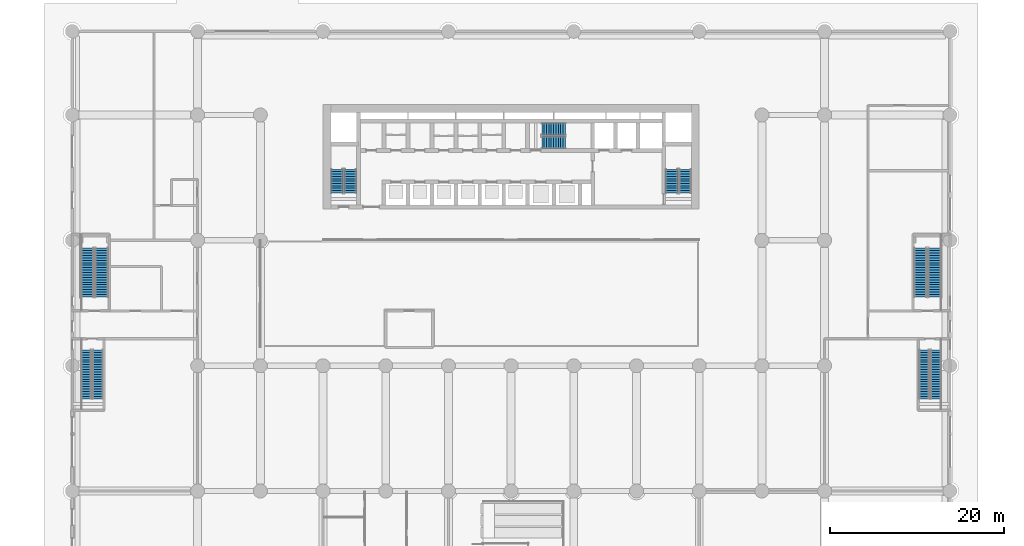
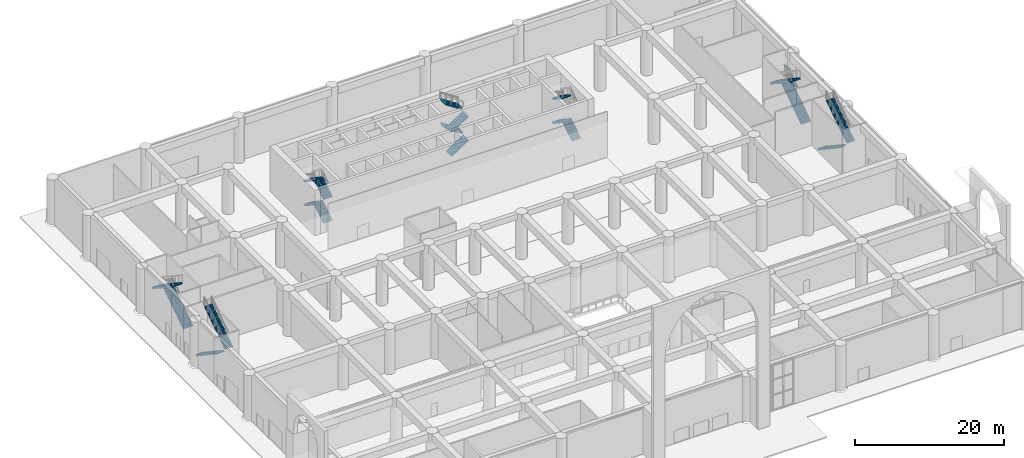
# One storey, part 21 of 32: 19 stair flights, 7 elements without a shape of their own.
"""IFC4 building model written with IfcOpenShell, lengths in metres."""

from ifc_helpers import new_model, si_unit, direction, frame, origin, place, context, subcontext, project, spatial, polyline, outline, extrude, material, layer, layer_set, type_object, element, aggregate, save


model = new_model("IFC4")

# Units and contexts
model_context = context("Model", 3, precision=1e-05, world=origin(), true_north=direction((0.0, 1.0)))
body_context = subcontext(model_context, "Body", "Model", "MODEL_VIEW")
ifc_project = project(units=[si_unit("LENGTHUNIT", "METRE"), si_unit("AREAUNIT", "SQUARE_METRE"), si_unit("VOLUMEUNIT", "CUBIC_METRE"), si_unit("PLANEANGLEUNIT", "RADIAN"), si_unit("MASSUNIT", "GRAM", prefix="KILO")], contexts=[model_context])

# Site, building, storey
site_placement = place(None, origin())
site = spatial("IfcSite", under=ifc_project, at=site_placement, CompositionType="ELEMENT")
building_placement = place(site_placement, origin())
building = spatial("IfcBuilding", under=site, at=building_placement, Name="Saffron Iwan Residences", CompositionType="ELEMENT")
storey_placement = place(building_placement, origin())
storey = spatial("IfcBuildingStorey", under=building, at=storey_placement, Name="L00", CompositionType="ELEMENT", Elevation=0.0)

# Stair, stair flights
ifc_material_1 = material(Name="Concrete C40/50", Category="concrete")
stair_type_1 = type_object("IfcStairType", Name="Podium stair, reinforced concrete", PredefinedType="HALF_TURN_STAIR", material=ifc_material_1)
stair_1_placement = place(storey_placement, origin())
stair_1 = element("IfcStair", 1, at=stair_1_placement, inside=storey, type_object=stair_type_1, Name="L00 Podium Stair 1", PredefinedType="HALF_TURN_STAIR")
stair_flight_type_1 = type_object("IfcStairFlightType", Name="Podium stair flight, reinforced concrete", PredefinedType="STRAIGHT", material=ifc_material_1)
stair_flight_1_placement = place(storey_placement, frame((1.60009765625, 49.800048828125, 0.0), z_axis=(0.0, 0.0, 1.0), x_axis=(0.0, -1.0, 0.0)))
stair_flight_1 = element("IfcStairFlight", 2, at=stair_flight_1_placement, type_object=stair_flight_type_1, Name="PS1 flight 1", NumberOfRisers=21, NumberOfTreads=20, PredefinedType="STRAIGHT", RiserHeight=0.185714286, TreadLength=0.28, context=body_context, shape_type="SweptSolid", body=[
    extrude(outline(polyline([(0.0, 0.0), (0.0, 0.185791015625), (0.280029296875, 0.185791015625), (0.280029296875, 0.371337890625), (0.56005859375, 0.371337890625), (0.56005859375, 0.55712890625), (0.840087890625, 0.55712890625), (0.840087890625, 0.742919921875), (1.1201171875, 0.742919921875), (1.1201171875, 0.928466796875), (1.39990234375, 0.928466796875), (1.39990234375, 1.1142578125), (1.679931640625, 1.1142578125), (1.679931640625, 1.300048828125), (1.9599609375, 1.300048828125), (1.9599609375, 1.485595703125), (2.239990234375, 1.485595703125), (2.239990234375, 1.67138671875), (2.52001953125, 1.67138671875), (2.52001953125, 1.857177734375), (2.800048828125, 1.857177734375), (2.800048828125, 2.04296875), (3.080078125, 2.04296875), (3.080078125, 2.228515625), (3.360107421875, 2.228515625), (3.360107421875, 2.414306640625), (3.639892578125, 2.414306640625), (3.639892578125, 2.60009765625), (3.919921875, 2.60009765625), (3.919921875, 2.78564453125), (4.199951171875, 2.78564453125), (4.199951171875, 2.971435546875), (4.47998046875, 2.971435546875), (4.47998046875, 3.1572265625), (4.760009765625, 3.1572265625), (4.760009765625, 3.3427734375), (5.0400390625, 3.3427734375), (5.0400390625, 3.528564453125), (5.320068359375, 3.528564453125), (5.320068359375, 3.71435546875), (5.60009765625, 3.71435546875), (5.60009765625, 3.89990234375), (5.60009765625, 3.534423828125), (0.271240234375, 0.0), (0.0, 0.0)])), frame((0.0, 0.60009765625, 0.0), z_axis=(0.0, -1.0, 0.0), x_axis=(1.0, 0.0, 0.0)), (0.0, 0.0, 1.0), 1.199951171875),
])
stair_flight_2_placement = place(storey_placement, frame((2.949951171875, 44.199951171875, 3.89990234375), z_axis=(0.0, 0.0, 1.0), x_axis=(0.0, 1.0, 0.0)))
stair_flight_2 = element("IfcStairFlight", 3, at=stair_flight_2_placement, type_object=stair_flight_type_1, Name="PS1 flight 2", NumberOfRisers=21, NumberOfTreads=20, PredefinedType="STRAIGHT", RiserHeight=0.185714286, TreadLength=0.28, context=body_context, shape_type="SweptSolid", body=[
    extrude(outline(polyline([(0.0, 0.0), (0.0, 0.185791015625), (0.280029296875, 0.185791015625), (0.280029296875, 0.371337890625), (0.56005859375, 0.371337890625), (0.56005859375, 0.55712890625), (0.840087890625, 0.55712890625), (0.840087890625, 0.742919921875), (1.1201171875, 0.742919921875), (1.1201171875, 0.928466796875), (1.39990234375, 0.928466796875), (1.39990234375, 1.1142578125), (1.679931640625, 1.1142578125), (1.679931640625, 1.300048828125), (1.9599609375, 1.300048828125), (1.9599609375, 1.485595703125), (2.239990234375, 1.485595703125), (2.239990234375, 1.67138671875), (2.52001953125, 1.67138671875), (2.52001953125, 1.857177734375), (2.800048828125, 1.857177734375), (2.800048828125, 2.04296875), (3.080078125, 2.04296875), (3.080078125, 2.228515625), (3.360107421875, 2.228515625), (3.360107421875, 2.414306640625), (3.639892578125, 2.414306640625), (3.639892578125, 2.60009765625), (3.919921875, 2.60009765625), (3.919921875, 2.78564453125), (4.199951171875, 2.78564453125), (4.199951171875, 2.971435546875), (4.47998046875, 2.971435546875), (4.47998046875, 3.1572265625), (4.760009765625, 3.1572265625), (4.760009765625, 3.3427734375), (5.0400390625, 3.3427734375), (5.0400390625, 3.528564453125), (5.320068359375, 3.528564453125), (5.320068359375, 3.71435546875), (5.60009765625, 3.71435546875), (5.60009765625, 3.89990234375), (5.60009765625, 3.534423828125), (0.271240234375, 0.0), (0.0, 0.0)])), frame((0.0, 0.60009765625, 0.0), z_axis=(0.0, -1.0, 0.0), x_axis=(1.0, 0.0, 0.0)), (0.0, 0.0, 1.0), 1.199951171875),
])
aggregate(stair_1, [stair_flight_1, stair_flight_2])

stair_2_placement = place(storey_placement, origin())
stair_2 = element("IfcStair", 4, at=stair_2_placement, inside=storey, type_object=stair_type_1, Name="L00 Podium Stair 2", PredefinedType="HALF_TURN_STAIR")
stair_flight_3_placement = place(storey_placement, frame((97.85009765625, 49.800048828125, 0.0), z_axis=(0.0, 0.0, 1.0), x_axis=(0.0, -1.0, 0.0)))
stair_flight_3 = element("IfcStairFlight", 5, at=stair_flight_3_placement, type_object=stair_flight_type_1, Name="PS2 flight 1", NumberOfRisers=21, NumberOfTreads=20, PredefinedType="STRAIGHT", RiserHeight=0.185714286, TreadLength=0.28, context=body_context, shape_type="SweptSolid", body=[
    extrude(outline(polyline([(0.0, 0.0), (0.0, 0.185791015625), (0.280029296875, 0.185791015625), (0.280029296875, 0.371337890625), (0.56005859375, 0.371337890625), (0.56005859375, 0.55712890625), (0.840087890625, 0.55712890625), (0.840087890625, 0.742919921875), (1.1201171875, 0.742919921875), (1.1201171875, 0.928466796875), (1.39990234375, 0.928466796875), (1.39990234375, 1.1142578125), (1.679931640625, 1.1142578125), (1.679931640625, 1.300048828125), (1.9599609375, 1.300048828125), (1.9599609375, 1.485595703125), (2.239990234375, 1.485595703125), (2.239990234375, 1.67138671875), (2.52001953125, 1.67138671875), (2.52001953125, 1.857177734375), (2.800048828125, 1.857177734375), (2.800048828125, 2.04296875), (3.080078125, 2.04296875), (3.080078125, 2.228515625), (3.360107421875, 2.228515625), (3.360107421875, 2.414306640625), (3.639892578125, 2.414306640625), (3.639892578125, 2.60009765625), (3.919921875, 2.60009765625), (3.919921875, 2.78564453125), (4.199951171875, 2.78564453125), (4.199951171875, 2.971435546875), (4.47998046875, 2.971435546875), (4.47998046875, 3.1572265625), (4.760009765625, 3.1572265625), (4.760009765625, 3.3427734375), (5.0400390625, 3.3427734375), (5.0400390625, 3.528564453125), (5.320068359375, 3.528564453125), (5.320068359375, 3.71435546875), (5.60009765625, 3.71435546875), (5.60009765625, 3.89990234375), (5.60009765625, 3.534423828125), (0.271240234375, 0.0), (0.0, 0.0)])), frame((0.0, 0.60009765625, 0.0), z_axis=(0.0, -1.0, 0.0), x_axis=(1.0, 0.0, 0.0)), (0.0, 0.0, 1.0), 1.199951171875),
])
stair_flight_4_placement = place(storey_placement, frame((99.199951171875, 44.199951171875, 3.89990234375), z_axis=(0.0, 0.0, 1.0), x_axis=(0.0, 1.0, 0.0)))
stair_flight_4 = element("IfcStairFlight", 6, at=stair_flight_4_placement, type_object=stair_flight_type_1, Name="PS2 flight 2", NumberOfRisers=21, NumberOfTreads=20, PredefinedType="STRAIGHT", RiserHeight=0.185714286, TreadLength=0.28, context=body_context, shape_type="SweptSolid", body=[
    extrude(outline(polyline([(0.0, 0.0), (0.0, 0.185791015625), (0.280029296875, 0.185791015625), (0.280029296875, 0.371337890625), (0.56005859375, 0.371337890625), (0.56005859375, 0.55712890625), (0.840087890625, 0.55712890625), (0.840087890625, 0.742919921875), (1.1201171875, 0.742919921875), (1.1201171875, 0.928466796875), (1.39990234375, 0.928466796875), (1.39990234375, 1.1142578125), (1.679931640625, 1.1142578125), (1.679931640625, 1.300048828125), (1.9599609375, 1.300048828125), (1.9599609375, 1.485595703125), (2.239990234375, 1.485595703125), (2.239990234375, 1.67138671875), (2.52001953125, 1.67138671875), (2.52001953125, 1.857177734375), (2.800048828125, 1.857177734375), (2.800048828125, 2.04296875), (3.080078125, 2.04296875), (3.080078125, 2.228515625), (3.360107421875, 2.228515625), (3.360107421875, 2.414306640625), (3.639892578125, 2.414306640625), (3.639892578125, 2.60009765625), (3.919921875, 2.60009765625), (3.919921875, 2.78564453125), (4.199951171875, 2.78564453125), (4.199951171875, 2.971435546875), (4.47998046875, 2.971435546875), (4.47998046875, 3.1572265625), (4.760009765625, 3.1572265625), (4.760009765625, 3.3427734375), (5.0400390625, 3.3427734375), (5.0400390625, 3.528564453125), (5.320068359375, 3.528564453125), (5.320068359375, 3.71435546875), (5.60009765625, 3.71435546875), (5.60009765625, 3.89990234375), (5.60009765625, 3.534423828125), (0.271240234375, 0.0), (0.0, 0.0)])), frame((0.0, 0.60009765625, 0.0), z_axis=(0.0, -1.0, 0.0), x_axis=(1.0, 0.0, 0.0)), (0.0, 0.0, 1.0), 1.199951171875),
])
aggregate(stair_2, [stair_flight_3, stair_flight_4])

stair_3_placement = place(storey_placement, origin())
stair_3 = element("IfcStair", 7, at=stair_3_placement, inside=storey, type_object=stair_type_1, Name="L00 Podium Stair 3", PredefinedType="HALF_TURN_STAIR")
stair_flight_5_placement = place(storey_placement, frame((3.39990234375, 55.89990234375, 0.0), z_axis=(0.0, 0.0, 1.0), x_axis=(0.0, 1.0, 0.0)))
stair_flight_5 = element("IfcStairFlight", 8, at=stair_flight_5_placement, type_object=stair_flight_type_1, Name="PS3 flight 1", NumberOfRisers=21, NumberOfTreads=20, PredefinedType="STRAIGHT", RiserHeight=0.185714286, TreadLength=0.28, context=body_context, shape_type="SweptSolid", body=[
    extrude(outline(polyline([(0.0, 0.0), (0.0, 0.185791015625), (0.280029296875, 0.185791015625), (0.280029296875, 0.371337890625), (0.56005859375, 0.371337890625), (0.56005859375, 0.55712890625), (0.840087890625, 0.55712890625), (0.840087890625, 0.742919921875), (1.1201171875, 0.742919921875), (1.1201171875, 0.928466796875), (1.39990234375, 0.928466796875), (1.39990234375, 1.1142578125), (1.679931640625, 1.1142578125), (1.679931640625, 1.300048828125), (1.9599609375, 1.300048828125), (1.9599609375, 1.485595703125), (2.239990234375, 1.485595703125), (2.239990234375, 1.67138671875), (2.52001953125, 1.67138671875), (2.52001953125, 1.857177734375), (2.800048828125, 1.857177734375), (2.800048828125, 2.04296875), (3.080078125, 2.04296875), (3.080078125, 2.228515625), (3.360107421875, 2.228515625), (3.360107421875, 2.414306640625), (3.639892578125, 2.414306640625), (3.639892578125, 2.60009765625), (3.919921875, 2.60009765625), (3.919921875, 2.78564453125), (4.199951171875, 2.78564453125), (4.199951171875, 2.971435546875), (4.47998046875, 2.971435546875), (4.47998046875, 3.1572265625), (4.760009765625, 3.1572265625), (4.760009765625, 3.3427734375), (5.0400390625, 3.3427734375), (5.0400390625, 3.528564453125), (5.320068359375, 3.528564453125), (5.320068359375, 3.71435546875), (5.60009765625, 3.71435546875), (5.60009765625, 3.89990234375), (5.60009765625, 3.534423828125), (0.271240234375, 0.0), (0.0, 0.0)])), frame((0.0, 0.75, 0.0), z_axis=(0.0, -1.0, 0.0), x_axis=(1.0, 0.0, 0.0)), (0.0, 0.0, 1.0), 1.5),
])
stair_flight_6_placement = place(storey_placement, frame((1.75, 61.5, 3.89990234375), z_axis=(0.0, 0.0, 1.0), x_axis=(0.0, -1.0, 0.0)))
stair_flight_6 = element("IfcStairFlight", 9, at=stair_flight_6_placement, type_object=stair_flight_type_1, Name="PS3 flight 2", NumberOfRisers=21, NumberOfTreads=20, PredefinedType="STRAIGHT", RiserHeight=0.185714286, TreadLength=0.28, context=body_context, shape_type="SweptSolid", body=[
    extrude(outline(polyline([(0.0, 0.0), (0.0, 0.185791015625), (0.280029296875, 0.185791015625), (0.280029296875, 0.371337890625), (0.56005859375, 0.371337890625), (0.56005859375, 0.55712890625), (0.840087890625, 0.55712890625), (0.840087890625, 0.742919921875), (1.1201171875, 0.742919921875), (1.1201171875, 0.928466796875), (1.39990234375, 0.928466796875), (1.39990234375, 1.1142578125), (1.679931640625, 1.1142578125), (1.679931640625, 1.300048828125), (1.9599609375, 1.300048828125), (1.9599609375, 1.485595703125), (2.239990234375, 1.485595703125), (2.239990234375, 1.67138671875), (2.52001953125, 1.67138671875), (2.52001953125, 1.857177734375), (2.800048828125, 1.857177734375), (2.800048828125, 2.04296875), (3.080078125, 2.04296875), (3.080078125, 2.228515625), (3.360107421875, 2.228515625), (3.360107421875, 2.414306640625), (3.639892578125, 2.414306640625), (3.639892578125, 2.60009765625), (3.919921875, 2.60009765625), (3.919921875, 2.78564453125), (4.199951171875, 2.78564453125), (4.199951171875, 2.971435546875), (4.47998046875, 2.971435546875), (4.47998046875, 3.1572265625), (4.760009765625, 3.1572265625), (4.760009765625, 3.3427734375), (5.0400390625, 3.3427734375), (5.0400390625, 3.528564453125), (5.320068359375, 3.528564453125), (5.320068359375, 3.71435546875), (5.60009765625, 3.71435546875), (5.60009765625, 3.89990234375), (5.60009765625, 3.534423828125), (0.271240234375, 0.0), (0.0, 0.0)])), frame((0.0, 0.75, 0.0), z_axis=(0.0, -1.0, 0.0), x_axis=(1.0, 0.0, 0.0)), (0.0, 0.0, 1.0), 1.5),
])
aggregate(stair_3, [stair_flight_5, stair_flight_6])

stair_4_placement = place(storey_placement, origin())
stair_4 = element("IfcStair", 10, at=stair_4_placement, inside=storey, type_object=stair_type_1, Name="L00 Podium Stair 4", PredefinedType="HALF_TURN_STAIR")
stair_flight_7_placement = place(storey_placement, frame((99.050048828125, 55.89990234375, 0.0), z_axis=(0.0, 0.0, 1.0), x_axis=(0.0, 1.0, 0.0)))
stair_flight_7 = element("IfcStairFlight", 11, at=stair_flight_7_placement, type_object=stair_flight_type_1, Name="PS4 flight 1", NumberOfRisers=21, NumberOfTreads=20, PredefinedType="STRAIGHT", RiserHeight=0.185714286, TreadLength=0.28, context=body_context, shape_type="SweptSolid", body=[
    extrude(outline(polyline([(0.0, 0.0), (0.0, 0.185791015625), (0.280029296875, 0.185791015625), (0.280029296875, 0.371337890625), (0.56005859375, 0.371337890625), (0.56005859375, 0.55712890625), (0.840087890625, 0.55712890625), (0.840087890625, 0.742919921875), (1.1201171875, 0.742919921875), (1.1201171875, 0.928466796875), (1.39990234375, 0.928466796875), (1.39990234375, 1.1142578125), (1.679931640625, 1.1142578125), (1.679931640625, 1.300048828125), (1.9599609375, 1.300048828125), (1.9599609375, 1.485595703125), (2.239990234375, 1.485595703125), (2.239990234375, 1.67138671875), (2.52001953125, 1.67138671875), (2.52001953125, 1.857177734375), (2.800048828125, 1.857177734375), (2.800048828125, 2.04296875), (3.080078125, 2.04296875), (3.080078125, 2.228515625), (3.360107421875, 2.228515625), (3.360107421875, 2.414306640625), (3.639892578125, 2.414306640625), (3.639892578125, 2.60009765625), (3.919921875, 2.60009765625), (3.919921875, 2.78564453125), (4.199951171875, 2.78564453125), (4.199951171875, 2.971435546875), (4.47998046875, 2.971435546875), (4.47998046875, 3.1572265625), (4.760009765625, 3.1572265625), (4.760009765625, 3.3427734375), (5.0400390625, 3.3427734375), (5.0400390625, 3.528564453125), (5.320068359375, 3.528564453125), (5.320068359375, 3.71435546875), (5.60009765625, 3.71435546875), (5.60009765625, 3.89990234375), (5.60009765625, 3.534423828125), (0.271240234375, 0.0), (0.0, 0.0)])), frame((0.0, 0.75, 0.0), z_axis=(0.0, -1.0, 0.0), x_axis=(1.0, 0.0, 0.0)), (0.0, 0.0, 1.0), 1.5),
])
stair_flight_8_placement = place(storey_placement, frame((97.39990234375, 61.5, 3.89990234375), z_axis=(0.0, 0.0, 1.0), x_axis=(0.0, -1.0, 0.0)))
stair_flight_8 = element("IfcStairFlight", 12, at=stair_flight_8_placement, type_object=stair_flight_type_1, Name="PS4 flight 2", NumberOfRisers=21, NumberOfTreads=20, PredefinedType="STRAIGHT", RiserHeight=0.185714286, TreadLength=0.28, context=body_context, shape_type="SweptSolid", body=[
    extrude(outline(polyline([(0.0, 0.0), (0.0, 0.185791015625), (0.280029296875, 0.185791015625), (0.280029296875, 0.371337890625), (0.56005859375, 0.371337890625), (0.56005859375, 0.55712890625), (0.840087890625, 0.55712890625), (0.840087890625, 0.742919921875), (1.1201171875, 0.742919921875), (1.1201171875, 0.928466796875), (1.39990234375, 0.928466796875), (1.39990234375, 1.1142578125), (1.679931640625, 1.1142578125), (1.679931640625, 1.300048828125), (1.9599609375, 1.300048828125), (1.9599609375, 1.485595703125), (2.239990234375, 1.485595703125), (2.239990234375, 1.67138671875), (2.52001953125, 1.67138671875), (2.52001953125, 1.857177734375), (2.800048828125, 1.857177734375), (2.800048828125, 2.04296875), (3.080078125, 2.04296875), (3.080078125, 2.228515625), (3.360107421875, 2.228515625), (3.360107421875, 2.414306640625), (3.639892578125, 2.414306640625), (3.639892578125, 2.60009765625), (3.919921875, 2.60009765625), (3.919921875, 2.78564453125), (4.199951171875, 2.78564453125), (4.199951171875, 2.971435546875), (4.47998046875, 2.971435546875), (4.47998046875, 3.1572265625), (4.760009765625, 3.1572265625), (4.760009765625, 3.3427734375), (5.0400390625, 3.3427734375), (5.0400390625, 3.528564453125), (5.320068359375, 3.528564453125), (5.320068359375, 3.71435546875), (5.60009765625, 3.71435546875), (5.60009765625, 3.89990234375), (5.60009765625, 3.534423828125), (0.271240234375, 0.0), (0.0, 0.0)])), frame((0.0, 0.75, 0.0), z_axis=(0.0, -1.0, 0.0), x_axis=(1.0, 0.0, 0.0)), (0.0, 0.0, 1.0), 1.5),
])
aggregate(stair_4, [stair_flight_7, stair_flight_8])

ifc_material_2 = material(Name="Concrete C50/60", Category="concrete")
stair_type_2 = type_object("IfcStairType", Name="Stair ST-CORE", PredefinedType="HALF_TURN_STAIR", material=ifc_material_2)
stair_5_placement = place(storey_placement, origin())
stair_5 = element("IfcStair", 13, at=stair_5_placement, inside=storey, type_object=stair_type_2, Name="L00 Exit Stair ST-W", PredefinedType="HALF_TURN_STAIR")
ifc_layer = layer(ifc_material_2, 0.14990234375)
ifc_layer_set = layer_set([ifc_layer], Name="Concrete C50/60")
stair_flight_type_2 = type_object("IfcStairFlightType", Name="Stair flight SFL-RC", PredefinedType="STRAIGHT", material=ifc_layer_set)
stair_flight_9_placement = place(storey_placement, frame((31.949951171875, 67.85009765625, 0.0), z_axis=(0.0, 0.0, 1.0), x_axis=(0.0, 1.0, 0.0)))
stair_flight_9 = element("IfcStairFlight", 14, at=stair_flight_9_placement, type_object=stair_flight_type_2, Name="ST-W flight 1", NumberOfRisers=11, NumberOfTreads=10, PredefinedType="STRAIGHT", RiserHeight=0.177272727, TreadLength=0.27, context=body_context, shape_type="SweptSolid", body=[
    extrude(outline(polyline([(0.0, 0.0), (0.0, 0.17724609375), (0.27001953125, 0.17724609375), (0.27001953125, 0.3544921875), (0.5400390625, 0.3544921875), (0.5400390625, 0.53173828125), (0.81005859375, 0.53173828125), (0.81005859375, 0.708984375), (1.080078125, 0.708984375), (1.080078125, 0.886474609375), (1.35009765625, 0.886474609375), (1.35009765625, 1.063720703125), (1.6201171875, 1.063720703125), (1.6201171875, 1.240966796875), (1.889892578125, 1.240966796875), (1.889892578125, 1.418212890625), (2.159912109375, 1.418212890625), (2.159912109375, 1.595458984375), (2.429931640625, 1.595458984375), (2.429931640625, 1.772705078125), (2.699951171875, 1.772705078125), (2.699951171875, 1.949951171875), (2.699951171875, 1.593505859375), (0.273193359375, 0.0), (0.0, 0.0)])), frame((0.0, 0.699951171875, 0.0), z_axis=(0.0, -1.0, 0.0), x_axis=(1.0, 0.0, 0.0)), (0.0, 0.0, 1.0), 1.39990234375),
])
stair_flight_10_placement = place(storey_placement, frame((30.39990234375, 70.550048828125, 1.949951171875), z_axis=(0.0, 0.0, 1.0), x_axis=(0.0, -1.0, 0.0)))
stair_flight_10 = element("IfcStairFlight", 15, at=stair_flight_10_placement, type_object=stair_flight_type_2, Name="ST-W flight 2", NumberOfRisers=11, NumberOfTreads=10, PredefinedType="STRAIGHT", RiserHeight=0.177272727, TreadLength=0.27, context=body_context, shape_type="SweptSolid", body=[
    extrude(outline(polyline([(0.0, 0.0), (0.0, 0.17724609375), (0.27001953125, 0.17724609375), (0.27001953125, 0.3544921875), (0.5400390625, 0.3544921875), (0.5400390625, 0.53173828125), (0.81005859375, 0.53173828125), (0.81005859375, 0.708984375), (1.080078125, 0.708984375), (1.080078125, 0.886474609375), (1.35009765625, 0.886474609375), (1.35009765625, 1.063720703125), (1.6201171875, 1.063720703125), (1.6201171875, 1.240966796875), (1.889892578125, 1.240966796875), (1.889892578125, 1.418212890625), (2.159912109375, 1.418212890625), (2.159912109375, 1.595458984375), (2.429931640625, 1.595458984375), (2.429931640625, 1.772705078125), (2.699951171875, 1.772705078125), (2.699951171875, 1.949951171875), (2.699951171875, 1.593505859375), (0.273193359375, 0.0), (0.0, 0.0)])), frame((0.0, 0.699951171875, 0.0), z_axis=(0.0, -1.0, 0.0), x_axis=(1.0, 0.0, 0.0)), (0.0, 0.0, 1.0), 1.39990234375),
])
stair_flight_11_placement = place(storey_placement, frame((31.949951171875, 67.85009765625, 3.89990234375), z_axis=(0.0, 0.0, 1.0), x_axis=(0.0, 1.0, 0.0)))
stair_flight_11 = element("IfcStairFlight", 16, at=stair_flight_11_placement, type_object=stair_flight_type_2, Name="ST-W flight 3", NumberOfRisers=11, NumberOfTreads=10, PredefinedType="STRAIGHT", RiserHeight=0.177272727, TreadLength=0.27, context=body_context, shape_type="SweptSolid", body=[
    extrude(outline(polyline([(0.0, 0.0), (0.0, 0.17724609375), (0.27001953125, 0.17724609375), (0.27001953125, 0.3544921875), (0.5400390625, 0.3544921875), (0.5400390625, 0.53173828125), (0.81005859375, 0.53173828125), (0.81005859375, 0.708984375), (1.080078125, 0.708984375), (1.080078125, 0.886474609375), (1.35009765625, 0.886474609375), (1.35009765625, 1.063720703125), (1.6201171875, 1.063720703125), (1.6201171875, 1.240966796875), (1.889892578125, 1.240966796875), (1.889892578125, 1.418212890625), (2.159912109375, 1.418212890625), (2.159912109375, 1.595458984375), (2.429931640625, 1.595458984375), (2.429931640625, 1.772705078125), (2.699951171875, 1.772705078125), (2.699951171875, 1.949951171875), (2.699951171875, 1.593505859375), (0.273193359375, 0.0), (0.0, 0.0)])), frame((0.0, 0.699951171875, 0.0), z_axis=(0.0, -1.0, 0.0), x_axis=(1.0, 0.0, 0.0)), (0.0, 0.0, 1.0), 1.39990234375),
])
stair_flight_12_placement = place(storey_placement, frame((30.39990234375, 70.550048828125, 5.85009765625), z_axis=(0.0, 0.0, 1.0), x_axis=(0.0, -1.0, 0.0)))
stair_flight_12 = element("IfcStairFlight", 17, at=stair_flight_12_placement, type_object=stair_flight_type_2, Name="ST-W flight 4", NumberOfRisers=11, NumberOfTreads=10, PredefinedType="STRAIGHT", RiserHeight=0.177272727, TreadLength=0.27, context=body_context, shape_type="SweptSolid", body=[
    extrude(outline(polyline([(0.0, 0.0), (0.0, 0.17724609375), (0.27001953125, 0.17724609375), (0.27001953125, 0.3544921875), (0.5400390625, 0.3544921875), (0.5400390625, 0.53173828125), (0.81005859375, 0.53173828125), (0.81005859375, 0.708984375), (1.080078125, 0.708984375), (1.080078125, 0.886474609375), (1.35009765625, 0.886474609375), (1.35009765625, 1.063720703125), (1.6201171875, 1.063720703125), (1.6201171875, 1.240966796875), (1.889892578125, 1.240966796875), (1.889892578125, 1.418212890625), (2.159912109375, 1.418212890625), (2.159912109375, 1.595458984375), (2.429931640625, 1.595458984375), (2.429931640625, 1.772705078125), (2.699951171875, 1.772705078125), (2.699951171875, 1.949951171875), (2.699951171875, 1.593505859375), (0.273193359375, 0.0), (0.0, 0.0)])), frame((0.0, 0.699951171875, 0.0), z_axis=(0.0, -1.0, 0.0), x_axis=(1.0, 0.0, 0.0)), (0.0, 0.0, 1.0), 1.39990234375),
])
aggregate(stair_5, [stair_flight_9, stair_flight_10, stair_flight_11, stair_flight_12])

stair_6_placement = place(storey_placement, origin())
stair_6 = element("IfcStair", 18, at=stair_6_placement, inside=storey, type_object=stair_type_2, Name="L00 Exit Stair ST-C", PredefinedType="HALF_TURN_STAIR")
stair_flight_13_placement = place(storey_placement, frame((53.925048828125, 73.625, 0.0), z_axis=(0.0, 0.0, 1.0), x_axis=(1.0, 0.0, 0.0)))
stair_flight_13 = element("IfcStairFlight", 19, at=stair_flight_13_placement, type_object=stair_flight_type_2, Name="ST-C flight 1", NumberOfRisers=11, NumberOfTreads=10, PredefinedType="STRAIGHT", RiserHeight=0.177272727, TreadLength=0.27, context=body_context, shape_type="SweptSolid", body=[
    extrude(outline(polyline([(0.0, 0.0), (0.0, 0.17724609375), (0.27001953125, 0.17724609375), (0.27001953125, 0.3544921875), (0.5400390625, 0.3544921875), (0.5400390625, 0.53173828125), (0.81005859375, 0.53173828125), (0.81005859375, 0.708984375), (1.080078125, 0.708984375), (1.080078125, 0.886474609375), (1.35009765625, 0.886474609375), (1.35009765625, 1.063720703125), (1.6201171875, 1.063720703125), (1.6201171875, 1.240966796875), (1.889892578125, 1.240966796875), (1.889892578125, 1.418212890625), (2.159912109375, 1.418212890625), (2.159912109375, 1.595458984375), (2.429931640625, 1.595458984375), (2.429931640625, 1.772705078125), (2.699951171875, 1.772705078125), (2.699951171875, 1.949951171875), (2.699951171875, 1.593505859375), (0.273193359375, 0.0), (0.0, 0.0)])), frame((0.0, 0.699951171875, 0.0), z_axis=(0.0, -1.0, 0.0), x_axis=(1.0, 0.0, 0.0)), (0.0, 0.0, 1.0), 1.39990234375),
])
stair_flight_14_placement = place(storey_placement, frame((56.625, 75.175048828125, 1.949951171875), z_axis=(0.0, 0.0, 1.0), x_axis=(-1.0, 0.0, 0.0)))
stair_flight_14 = element("IfcStairFlight", 20, at=stair_flight_14_placement, type_object=stair_flight_type_2, Name="ST-C flight 2", NumberOfRisers=11, NumberOfTreads=10, PredefinedType="STRAIGHT", RiserHeight=0.177272727, TreadLength=0.27, context=body_context, shape_type="SweptSolid", body=[
    extrude(outline(polyline([(0.0, 0.0), (0.0, 0.17724609375), (0.27001953125, 0.17724609375), (0.27001953125, 0.3544921875), (0.5400390625, 0.3544921875), (0.5400390625, 0.53173828125), (0.81005859375, 0.53173828125), (0.81005859375, 0.708984375), (1.080078125, 0.708984375), (1.080078125, 0.886474609375), (1.35009765625, 0.886474609375), (1.35009765625, 1.063720703125), (1.6201171875, 1.063720703125), (1.6201171875, 1.240966796875), (1.889892578125, 1.240966796875), (1.889892578125, 1.418212890625), (2.159912109375, 1.418212890625), (2.159912109375, 1.595458984375), (2.429931640625, 1.595458984375), (2.429931640625, 1.772705078125), (2.699951171875, 1.772705078125), (2.699951171875, 1.949951171875), (2.699951171875, 1.593505859375), (0.273193359375, 0.0), (0.0, 0.0)])), frame((0.0, 0.699951171875, 0.0), z_axis=(0.0, -1.0, 0.0), x_axis=(1.0, 0.0, 0.0)), (0.0, 0.0, 1.0), 1.39990234375),
])
stair_flight_15_placement = place(storey_placement, frame((53.925048828125, 73.625, 3.89990234375), z_axis=(0.0, 0.0, 1.0), x_axis=(1.0, 0.0, 0.0)))
stair_flight_15 = element("IfcStairFlight", 21, at=stair_flight_15_placement, type_object=stair_flight_type_2, Name="ST-C flight 3", NumberOfRisers=11, NumberOfTreads=10, PredefinedType="STRAIGHT", RiserHeight=0.177272727, TreadLength=0.27, context=body_context, shape_type="SweptSolid", body=[
    extrude(outline(polyline([(0.0, 0.0), (0.0, 0.17724609375), (0.27001953125, 0.17724609375), (0.27001953125, 0.3544921875), (0.5400390625, 0.3544921875), (0.5400390625, 0.53173828125), (0.81005859375, 0.53173828125), (0.81005859375, 0.708984375), (1.080078125, 0.708984375), (1.080078125, 0.886474609375), (1.35009765625, 0.886474609375), (1.35009765625, 1.063720703125), (1.6201171875, 1.063720703125), (1.6201171875, 1.240966796875), (1.889892578125, 1.240966796875), (1.889892578125, 1.418212890625), (2.159912109375, 1.418212890625), (2.159912109375, 1.595458984375), (2.429931640625, 1.595458984375), (2.429931640625, 1.772705078125), (2.699951171875, 1.772705078125), (2.699951171875, 1.949951171875), (2.699951171875, 1.593505859375), (0.273193359375, 0.0), (0.0, 0.0)])), frame((0.0, 0.699951171875, 0.0), z_axis=(0.0, -1.0, 0.0), x_axis=(1.0, 0.0, 0.0)), (0.0, 0.0, 1.0), 1.39990234375),
])
stair_flight_16_placement = place(storey_placement, frame((56.625, 75.175048828125, 5.85009765625), z_axis=(0.0, 0.0, 1.0), x_axis=(-1.0, 0.0, 0.0)))
stair_flight_16 = element("IfcStairFlight", 22, at=stair_flight_16_placement, type_object=stair_flight_type_2, Name="ST-C flight 4", NumberOfRisers=11, NumberOfTreads=10, PredefinedType="STRAIGHT", RiserHeight=0.177272727, TreadLength=0.27, context=body_context, shape_type="SweptSolid", body=[
    extrude(outline(polyline([(0.0, 0.0), (0.0, 0.17724609375), (0.27001953125, 0.17724609375), (0.27001953125, 0.3544921875), (0.5400390625, 0.3544921875), (0.5400390625, 0.53173828125), (0.81005859375, 0.53173828125), (0.81005859375, 0.708984375), (1.080078125, 0.708984375), (1.080078125, 0.886474609375), (1.35009765625, 0.886474609375), (1.35009765625, 1.063720703125), (1.6201171875, 1.063720703125), (1.6201171875, 1.240966796875), (1.889892578125, 1.240966796875), (1.889892578125, 1.418212890625), (2.159912109375, 1.418212890625), (2.159912109375, 1.595458984375), (2.429931640625, 1.595458984375), (2.429931640625, 1.772705078125), (2.699951171875, 1.772705078125), (2.699951171875, 1.949951171875), (2.699951171875, 1.593505859375), (0.273193359375, 0.0), (0.0, 0.0)])), frame((0.0, 0.699951171875, 0.0), z_axis=(0.0, -1.0, 0.0), x_axis=(1.0, 0.0, 0.0)), (0.0, 0.0, 1.0), 1.39990234375),
])
aggregate(stair_6, [stair_flight_13, stair_flight_14, stair_flight_15, stair_flight_16])

stair_7_placement = place(storey_placement, origin())
stair_7 = element("IfcStair", 23, at=stair_7_placement, inside=storey, type_object=stair_type_2, Name="L00 Exit Stair ST-E", PredefinedType="HALF_TURN_STAIR")
stair_flight_17_placement = place(storey_placement, frame((70.39990234375, 67.85009765625, 0.0), z_axis=(0.0, 0.0, 1.0), x_axis=(0.0, 1.0, 0.0)))
stair_flight_17 = element("IfcStairFlight", 24, at=stair_flight_17_placement, type_object=stair_flight_type_2, Name="ST-E flight 1", NumberOfRisers=11, NumberOfTreads=10, PredefinedType="STRAIGHT", RiserHeight=0.177272727, TreadLength=0.27, context=body_context, shape_type="SweptSolid", body=[
    extrude(outline(polyline([(0.0, 0.0), (0.0, 0.17724609375), (0.27001953125, 0.17724609375), (0.27001953125, 0.3544921875), (0.5400390625, 0.3544921875), (0.5400390625, 0.53173828125), (0.81005859375, 0.53173828125), (0.81005859375, 0.708984375), (1.080078125, 0.708984375), (1.080078125, 0.886474609375), (1.35009765625, 0.886474609375), (1.35009765625, 1.063720703125), (1.6201171875, 1.063720703125), (1.6201171875, 1.240966796875), (1.889892578125, 1.240966796875), (1.889892578125, 1.418212890625), (2.159912109375, 1.418212890625), (2.159912109375, 1.595458984375), (2.429931640625, 1.595458984375), (2.429931640625, 1.772705078125), (2.699951171875, 1.772705078125), (2.699951171875, 1.949951171875), (2.699951171875, 1.593505859375), (0.273193359375, 0.0), (0.0, 0.0)])), frame((0.0, 0.699951171875, 0.0), z_axis=(0.0, -1.0, 0.0), x_axis=(1.0, 0.0, 0.0)), (0.0, 0.0, 1.0), 1.39990234375),
])
stair_flight_18_placement = place(storey_placement, frame((68.85009765625, 70.550048828125, 1.949951171875), z_axis=(0.0, 0.0, 1.0), x_axis=(0.0, -1.0, 0.0)))
stair_flight_18 = element("IfcStairFlight", 25, at=stair_flight_18_placement, type_object=stair_flight_type_2, Name="ST-E flight 2", NumberOfRisers=11, NumberOfTreads=10, PredefinedType="STRAIGHT", RiserHeight=0.177272727, TreadLength=0.27, context=body_context, shape_type="SweptSolid", body=[
    extrude(outline(polyline([(0.0, 0.0), (0.0, 0.17724609375), (0.27001953125, 0.17724609375), (0.27001953125, 0.3544921875), (0.5400390625, 0.3544921875), (0.5400390625, 0.53173828125), (0.81005859375, 0.53173828125), (0.81005859375, 0.708984375), (1.080078125, 0.708984375), (1.080078125, 0.886474609375), (1.35009765625, 0.886474609375), (1.35009765625, 1.063720703125), (1.6201171875, 1.063720703125), (1.6201171875, 1.240966796875), (1.889892578125, 1.240966796875), (1.889892578125, 1.418212890625), (2.159912109375, 1.418212890625), (2.159912109375, 1.595458984375), (2.429931640625, 1.595458984375), (2.429931640625, 1.772705078125), (2.699951171875, 1.772705078125), (2.699951171875, 1.949951171875), (2.699951171875, 1.593505859375), (0.273193359375, 0.0), (0.0, 0.0)])), frame((0.0, 0.699951171875, 0.0), z_axis=(0.0, -1.0, 0.0), x_axis=(1.0, 0.0, 0.0)), (0.0, 0.0, 1.0), 1.39990234375),
])
stair_flight_19_placement = place(storey_placement, frame((68.85009765625, 70.550048828125, 5.85009765625), z_axis=(0.0, 0.0, 1.0), x_axis=(0.0, -1.0, 0.0)))
stair_flight_19 = element("IfcStairFlight", 26, at=stair_flight_19_placement, type_object=stair_flight_type_2, Name="ST-E flight 4", NumberOfRisers=11, NumberOfTreads=10, PredefinedType="STRAIGHT", RiserHeight=0.177272727, TreadLength=0.27, context=body_context, shape_type="SweptSolid", body=[
    extrude(outline(polyline([(0.0, 0.0), (0.0, 0.17724609375), (0.27001953125, 0.17724609375), (0.27001953125, 0.3544921875), (0.5400390625, 0.3544921875), (0.5400390625, 0.53173828125), (0.81005859375, 0.53173828125), (0.81005859375, 0.708984375), (1.080078125, 0.708984375), (1.080078125, 0.886474609375), (1.35009765625, 0.886474609375), (1.35009765625, 1.063720703125), (1.6201171875, 1.063720703125), (1.6201171875, 1.240966796875), (1.889892578125, 1.240966796875), (1.889892578125, 1.418212890625), (2.159912109375, 1.418212890625), (2.159912109375, 1.595458984375), (2.429931640625, 1.595458984375), (2.429931640625, 1.772705078125), (2.699951171875, 1.772705078125), (2.699951171875, 1.949951171875), (2.699951171875, 1.593505859375), (0.273193359375, 0.0), (0.0, 0.0)])), frame((0.0, 0.699951171875, 0.0), z_axis=(0.0, -1.0, 0.0), x_axis=(1.0, 0.0, 0.0)), (0.0, 0.0, 1.0), 1.39990234375),
])
aggregate(stair_7, [stair_flight_17, stair_flight_18, stair_flight_19])

save(model, "model.ifc")
